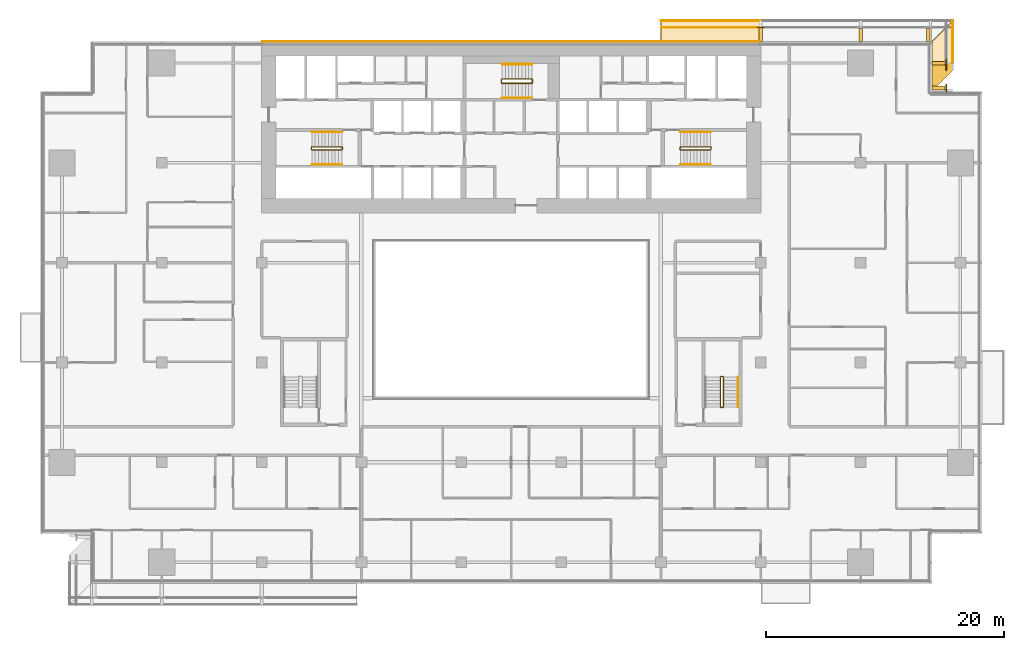
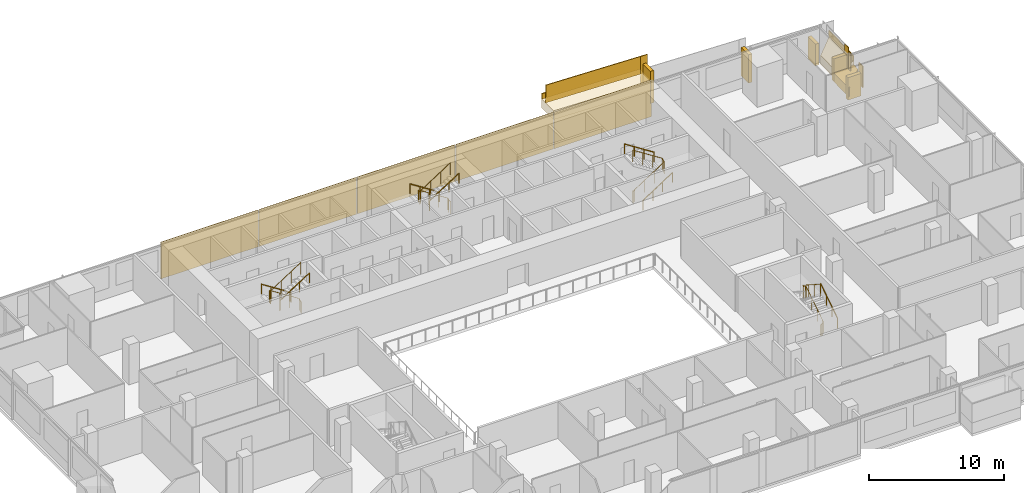
# One storey, part 26 of 29: 16 railings, 15 coverings.
"""IFC4 building model written with IfcOpenShell, lengths in metres."""

from ifc_helpers import new_model, si_unit, direction, frame, origin, origin_2d, place, context, subcontext, project, spatial, polyline, rectangle, circle, outline, extrude, material, layer, layer_set, type_object, element, save


model = new_model("IFC4")

# Units and contexts
model_context = context("Model", 3, precision=1e-05, world=origin(), true_north=direction((0.0, 1.0)))
body_context = subcontext(model_context, "Body", "Model", "MODEL_VIEW")
ifc_project = project(units=[si_unit("LENGTHUNIT", "METRE"), si_unit("AREAUNIT", "SQUARE_METRE"), si_unit("VOLUMEUNIT", "CUBIC_METRE"), si_unit("PLANEANGLEUNIT", "RADIAN"), si_unit("MASSUNIT", "GRAM", prefix="KILO")], contexts=[model_context])

# Site, building, storey
site_placement = place(None, origin())
site = spatial("IfcSite", under=ifc_project, at=site_placement, CompositionType="ELEMENT")
building_placement = place(site_placement, origin())
building = spatial("IfcBuilding", under=site, at=building_placement, Name="Saffron Gate Tower", CompositionType="ELEMENT")
storey_placement = place(building_placement, frame((0.0, 0.0, 58.800048828125)))
storey = spatial("IfcBuildingStorey", under=building, at=storey_placement, Name="L13", CompositionType="ELEMENT", Elevation=58.800048828125)

# Coverings
ifc_material_1 = material(Name="Ceramic-printed bronze insulated panel")
ifc_layer_1 = layer(ifc_material_1, 0.0400390625)
ifc_layer_set_1 = layer_set([ifc_layer_1], Name="CLD1 ceramic-printed cladding panel 40")
covering_type_1 = type_object("IfcCoveringType", Name="CLD1 ceramic-printed cladding panel 40", PredefinedType="CLADDING", material=ifc_layer_set_1)
covering_1_placement = place(storey_placement, origin())
element("IfcCovering", 1, at=covering_1_placement, inside=storey, type_object=covering_type_1, Name="CLADDING ceramic-printed panel", PredefinedType="CLADDING", context=body_context, shape_type="SweptSolid", body=[
    extrude(outline(polyline([(108.56494140625, 75.639892578125), (100.235107421875, 75.639892578125), (100.235107421875, 75.60009765625), (108.56494140625, 75.60009765625), (108.56494140625, 75.639892578125)])), origin(), (0.0, 0.0, 1.0), 3.320068359375),
])
covering_2_placement = place(storey_placement, origin())
element("IfcCovering", 2, at=covering_2_placement, inside=storey, type_object=covering_type_1, Name="CLADDING ceramic-printed panel", PredefinedType="CLADDING", context=body_context, shape_type="SweptSolid", body=[
    extrude(outline(polyline([(100.1650390625, 75.639892578125), (91.8349609375, 75.639892578125), (91.8349609375, 75.60009765625), (100.1650390625, 75.60009765625), (100.1650390625, 75.639892578125)])), origin(), (0.0, 0.0, 1.0), 3.320068359375),
])
covering_3_placement = place(storey_placement, origin())
element("IfcCovering", 3, at=covering_3_placement, inside=storey, type_object=covering_type_1, Name="CLADDING ceramic-printed panel", PredefinedType="CLADDING", context=body_context, shape_type="SweptSolid", body=[
    extrude(outline(polyline([(91.764892578125, 75.639892578125), (83.43505859375, 75.639892578125), (83.43505859375, 75.60009765625), (91.764892578125, 75.60009765625), (91.764892578125, 75.639892578125)])), origin(), (0.0, 0.0, 1.0), 3.320068359375),
])
covering_4_placement = place(storey_placement, origin())
element("IfcCovering", 4, at=covering_4_placement, inside=storey, type_object=covering_type_1, Name="CLADDING ceramic-printed panel", PredefinedType="CLADDING", context=body_context, shape_type="SweptSolid", body=[
    extrude(outline(polyline([(83.364990234375, 75.639892578125), (75.034912109375, 75.639892578125), (75.034912109375, 75.60009765625), (83.364990234375, 75.60009765625), (83.364990234375, 75.639892578125)])), origin(), (0.0, 0.0, 1.0), 3.320068359375),
])
covering_5_placement = place(storey_placement, origin())
element("IfcCovering", 5, at=covering_5_placement, inside=storey, type_object=covering_type_1, Name="CLADDING ceramic-printed panel", PredefinedType="CLADDING", context=body_context, shape_type="SweptSolid", body=[
    extrude(outline(polyline([(74.965087890625, 75.639892578125), (66.635009765625, 75.639892578125), (66.635009765625, 75.60009765625), (74.965087890625, 75.60009765625), (74.965087890625, 75.639892578125)])), origin(), (0.0, 0.0, 1.0), 3.320068359375),
])

# Railings
ifc_material_2 = material(Name="Stainless steel and laminated glass", Category="steel")
railing_type_1 = type_object("IfcRailingType", Name="CR1 Stair guard 1100", PredefinedType="GUARDRAIL", material=ifc_material_2)
railing_1_placement = place(storey_placement, frame((73.39990234375, 66.550048828125, 0.0)))
element("IfcRailing", 6, at=railing_1_placement, inside=storey, type_object=railing_type_1, Name="L13 ST-A stair guard 1", PredefinedType="GUARDRAIL", context=body_context, shape_type="SweptSolid", body=[
    extrude(circle(Radius=0.02392578125, at=origin_2d()), frame((0.0, 0.0, 1.076171875), z_axis=(0.0, 1.0, 0.0), x_axis=(-1.0, 0.0, 0.0)), (0.0, 0.0, 1.0), 0.14990234375),
    extrude(circle(Radius=0.02392578125, at=origin_2d()), frame((0.0, 0.14990234375, 1.076171875), z_axis=(-0.257669022063, 0.258932105505, 0.930892496375), x_axis=(-0.708833529934, -0.705375805398, 0.0)), (0.0, 0.0, 1.0), 0.193359375),
    extrude(circle(Radius=0.02392578125, at=origin_2d()), frame((-0.0498046875, 0.199951171875, 1.255859375), z_axis=(-0.841162588446, 0.0, 0.540782303519), x_axis=(0.0, -1.0, 0.0)), (0.0, 0.0, 1.0), 2.995849609375),
    extrude(circle(Radius=0.02392578125, at=origin_2d()), frame((-2.56982421875, 0.199951171875, 2.8759765625), z_axis=(-0.707106781187, -0.707106781187, 0.0), x_axis=(0.707106781187, -0.707106781187, 0.0)), (0.0, 0.0, 1.0), 0.07080078125),
    extrude(circle(Radius=0.02392578125, at=origin_2d()), frame((-2.619873046875, 0.14990234375, 2.8759765625), z_axis=(0.0, -1.0, 0.0), x_axis=(1.0, 0.0, 0.0)), (0.0, 0.0, 1.0), 0.14990234375),
    extrude(circle(Radius=0.02392578125, at=origin_2d()), frame((-2.619873046875, 0.0, 2.8759765625), z_axis=(0.258847668887, -0.258847668887, 0.930588936439), x_axis=(0.707106781187, 0.707106781187, 0.0)), (0.0, 0.0, 1.0), 0.193359375),
    extrude(circle(Radius=0.02392578125, at=origin_2d()), frame((-2.56982421875, -0.050048828125, 3.05615234375), z_axis=(0.841199657755, 0.0, 0.540724639528), x_axis=(0.0, 1.0, 0.0)), (0.0, 0.0, 1.0), 2.995849609375),
    extrude(circle(Radius=0.02099609375, at=origin_2d()), origin(), (0.0, 0.0, 1.0), 1.052001953125),
    extrude(circle(Radius=0.02099609375, at=origin_2d()), frame((0.0, 0.14990234375, 0.0)), (0.0, 0.0, 1.0), 1.052001953125),
    extrude(circle(Radius=0.02099609375, at=origin_2d()), frame((-0.0498046875, 0.199951171875, 0.179931640625)), (0.0, 0.0, 1.0), 1.052001953125),
    extrude(circle(Radius=0.02099609375, at=origin_2d()), frame((-0.889892578125, 0.199951171875, 0.719970703125)), (0.0, 0.0, 1.0), 1.052001953125),
    extrude(circle(Radius=0.02099609375, at=origin_2d()), frame((-1.729736328125, 0.199951171875, 1.260009765625)), (0.0, 0.0, 1.0), 1.052001953125),
    extrude(circle(Radius=0.02099609375, at=origin_2d()), frame((-2.56982421875, 0.199951171875, 1.800048828125)), (0.0, 0.0, 1.0), 1.052001953125),
    extrude(circle(Radius=0.02099609375, at=origin_2d()), frame((-2.619873046875, 0.14990234375, 1.800048828125)), (0.0, 0.0, 1.0), 1.052001953125),
    extrude(circle(Radius=0.02099609375, at=origin_2d()), frame((-2.619873046875, 0.0, 1.800048828125)), (0.0, 0.0, 1.0), 1.052001953125),
    extrude(circle(Radius=0.02099609375, at=origin_2d()), frame((-2.56982421875, -0.050048828125, 1.97998046875)), (0.0, 0.0, 1.0), 1.052001953125),
    extrude(circle(Radius=0.02099609375, at=origin_2d()), frame((-1.729736328125, -0.050048828125, 2.52001953125)), (0.0, 0.0, 1.0), 1.052001953125),
    extrude(circle(Radius=0.02099609375, at=origin_2d()), frame((-0.889892578125, -0.050048828125, 3.059814453125)), (0.0, 0.0, 1.0), 1.052001953125),
    extrude(circle(Radius=0.02099609375, at=origin_2d()), frame((-0.0498046875, -0.050048828125, 3.599853515625)), (0.0, 0.0, 1.0), 1.052001953125),
])
railing_2_placement = place(storey_placement, frame((101.800048828125, 66.699951171875, 0.0)))
element("IfcRailing", 7, at=railing_2_placement, inside=storey, type_object=railing_type_1, Name="L13 ST-B stair guard 1", PredefinedType="GUARDRAIL", context=body_context, shape_type="SweptSolid", body=[
    extrude(circle(Radius=0.02392578125, at=origin_2d()), frame((0.0, 0.0, 1.076171875), z_axis=(0.0, -1.0, 0.0), x_axis=(1.0, 0.0, 0.0)), (0.0, 0.0, 1.0), 0.14990234375),
    extrude(circle(Radius=0.02392578125, at=origin_2d()), frame((0.0, -0.14990234375, 1.076171875), z_axis=(0.258847668887, -0.258847668887, 0.930588936439), x_axis=(0.707106781187, 0.707106781187, 0.0)), (0.0, 0.0, 1.0), 0.193359375),
    extrude(circle(Radius=0.02392578125, at=origin_2d()), frame((0.050048828125, -0.199951171875, 1.255859375), z_axis=(0.841162588446, 0.0, 0.540782303519), x_axis=(0.0, 1.0, 0.0)), (0.0, 0.0, 1.0), 2.995849609375),
    extrude(circle(Radius=0.02392578125, at=origin_2d()), frame((2.570068359375, -0.199951171875, 2.8759765625), z_axis=(0.705375805398, 0.708833529934, 0.0), x_axis=(-0.708833529934, 0.705375805398, 0.0)), (0.0, 0.0, 1.0), 0.070556640625),
    extrude(circle(Radius=0.02392578125, at=origin_2d()), frame((2.619873046875, -0.14990234375, 2.8759765625), z_axis=(0.0, 1.0, 0.0), x_axis=(-1.0, 0.0, 0.0)), (0.0, 0.0, 1.0), 0.14990234375),
    extrude(circle(Radius=0.02392578125, at=origin_2d()), frame((2.619873046875, 0.0, 2.8759765625), z_axis=(-0.257669022063, 0.258932105505, 0.930892496375), x_axis=(-0.708833529934, -0.705375805398, 0.0)), (0.0, 0.0, 1.0), 0.193359375),
    extrude(circle(Radius=0.02392578125, at=origin_2d()), frame((2.570068359375, 0.050048828125, 3.05615234375), z_axis=(-0.841199657755, 0.0, 0.540724639528), x_axis=(0.0, -1.0, 0.0)), (0.0, 0.0, 1.0), 2.995849609375),
    extrude(circle(Radius=0.02099609375, at=origin_2d()), origin(), (0.0, 0.0, 1.0), 1.052001953125),
    extrude(circle(Radius=0.02099609375, at=origin_2d()), frame((0.0, -0.14990234375, 0.0)), (0.0, 0.0, 1.0), 1.052001953125),
    extrude(circle(Radius=0.02099609375, at=origin_2d()), frame((0.050048828125, -0.199951171875, 0.179931640625)), (0.0, 0.0, 1.0), 1.052001953125),
    extrude(circle(Radius=0.02099609375, at=origin_2d()), frame((0.89013671875, -0.199951171875, 0.719970703125)), (0.0, 0.0, 1.0), 1.052001953125),
    extrude(circle(Radius=0.02099609375, at=origin_2d()), frame((1.72998046875, -0.199951171875, 1.260009765625)), (0.0, 0.0, 1.0), 1.052001953125),
    extrude(circle(Radius=0.02099609375, at=origin_2d()), frame((2.570068359375, -0.199951171875, 1.800048828125)), (0.0, 0.0, 1.0), 1.052001953125),
    extrude(circle(Radius=0.02099609375, at=origin_2d()), frame((2.619873046875, -0.14990234375, 1.800048828125)), (0.0, 0.0, 1.0), 1.052001953125),
    extrude(circle(Radius=0.02099609375, at=origin_2d()), frame((2.619873046875, 0.0, 1.800048828125)), (0.0, 0.0, 1.0), 1.052001953125),
    extrude(circle(Radius=0.02099609375, at=origin_2d()), frame((2.570068359375, 0.050048828125, 1.97998046875)), (0.0, 0.0, 1.0), 1.052001953125),
    extrude(circle(Radius=0.02099609375, at=origin_2d()), frame((1.72998046875, 0.050048828125, 2.52001953125)), (0.0, 0.0, 1.0), 1.052001953125),
    extrude(circle(Radius=0.02099609375, at=origin_2d()), frame((0.89013671875, 0.050048828125, 3.059814453125)), (0.0, 0.0, 1.0), 1.052001953125),
    extrude(circle(Radius=0.02099609375, at=origin_2d()), frame((0.050048828125, 0.050048828125, 3.599853515625)), (0.0, 0.0, 1.0), 1.052001953125),
])
railing_3_placement = place(storey_placement, frame((89.39990234375, 72.14990234375, 0.0)))
element("IfcRailing", 8, at=railing_3_placement, inside=storey, type_object=railing_type_1, Name="L13 ST-C stair guard 1", PredefinedType="GUARDRAIL", context=body_context, shape_type="SweptSolid", body=[
    extrude(circle(Radius=0.02392578125, at=origin_2d()), frame((0.0, 0.0, 1.076171875), z_axis=(0.0, 1.0, 0.0), x_axis=(-1.0, 0.0, 0.0)), (0.0, 0.0, 1.0), 0.25),
    extrude(circle(Radius=0.02392578125, at=origin_2d()), frame((0.0, 0.25, 1.076171875), z_axis=(-0.257669022063, 0.258932105505, 0.930892496375), x_axis=(-0.708833529934, -0.705375805398, 0.0)), (0.0, 0.0, 1.0), 0.193359375),
    extrude(circle(Radius=0.02392578125, at=origin_2d()), frame((-0.0498046875, 0.300048828125, 1.255859375), z_axis=(-0.841162588446, 0.0, 0.540782303519), x_axis=(0.0, -1.0, 0.0)), (0.0, 0.0, 1.0), 2.995849609375),
    extrude(circle(Radius=0.02392578125, at=origin_2d()), frame((-2.56982421875, 0.300048828125, 2.8759765625), z_axis=(-0.707106781187, -0.707106781187, 0.0), x_axis=(0.707106781187, -0.707106781187, 0.0)), (0.0, 0.0, 1.0), 0.07080078125),
    extrude(circle(Radius=0.02392578125, at=origin_2d()), frame((-2.619873046875, 0.25, 2.8759765625), z_axis=(0.0, -1.0, 0.0), x_axis=(1.0, 0.0, 0.0)), (0.0, 0.0, 1.0), 0.25),
    extrude(circle(Radius=0.02392578125, at=origin_2d()), frame((-2.619873046875, 0.0, 2.8759765625), z_axis=(0.258932105505, -0.257669022063, 0.930892496375), x_axis=(0.705375805398, 0.708833529934, 0.0)), (0.0, 0.0, 1.0), 0.193359375),
    extrude(circle(Radius=0.02392578125, at=origin_2d()), frame((-2.56982421875, -0.0498046875, 3.05615234375), z_axis=(0.841199657755, 0.0, 0.540724639528), x_axis=(0.0, 1.0, 0.0)), (0.0, 0.0, 1.0), 2.995849609375),
    extrude(circle(Radius=0.02099609375, at=origin_2d()), origin(), (0.0, 0.0, 1.0), 1.052001953125),
    extrude(circle(Radius=0.02099609375, at=origin_2d()), frame((0.0, 0.25, 0.0)), (0.0, 0.0, 1.0), 1.052001953125),
    extrude(circle(Radius=0.02099609375, at=origin_2d()), frame((-0.0498046875, 0.300048828125, 0.179931640625)), (0.0, 0.0, 1.0), 1.052001953125),
    extrude(circle(Radius=0.02099609375, at=origin_2d()), frame((-0.889892578125, 0.300048828125, 0.719970703125)), (0.0, 0.0, 1.0), 1.052001953125),
    extrude(circle(Radius=0.02099609375, at=origin_2d()), frame((-1.729736328125, 0.300048828125, 1.260009765625)), (0.0, 0.0, 1.0), 1.052001953125),
    extrude(circle(Radius=0.02099609375, at=origin_2d()), frame((-2.56982421875, 0.300048828125, 1.800048828125)), (0.0, 0.0, 1.0), 1.052001953125),
    extrude(circle(Radius=0.02099609375, at=origin_2d()), frame((-2.619873046875, 0.25, 1.800048828125)), (0.0, 0.0, 1.0), 1.052001953125),
    extrude(circle(Radius=0.02099609375, at=origin_2d()), frame((-2.619873046875, 0.0, 1.800048828125)), (0.0, 0.0, 1.0), 1.052001953125),
    extrude(circle(Radius=0.02099609375, at=origin_2d()), frame((-2.56982421875, -0.0498046875, 1.97998046875)), (0.0, 0.0, 1.0), 1.052001953125),
    extrude(circle(Radius=0.02099609375, at=origin_2d()), frame((-1.729736328125, -0.0498046875, 2.52001953125)), (0.0, 0.0, 1.0), 1.052001953125),
    extrude(circle(Radius=0.02099609375, at=origin_2d()), frame((-0.889892578125, -0.0498046875, 3.059814453125)), (0.0, 0.0, 1.0), 1.052001953125),
    extrude(circle(Radius=0.02099609375, at=origin_2d()), frame((-0.0498046875, -0.0498046875, 3.599853515625)), (0.0, 0.0, 1.0), 1.052001953125),
])
railing_4_placement = place(storey_placement, frame((105.25, 44.800048828125, 0.0)))
element("IfcRailing", 9, at=railing_4_placement, inside=storey, type_object=railing_type_1, Name="L13 ST-E stair guard 1", PredefinedType="GUARDRAIL", context=body_context, shape_type="SweptSolid", body=[
    extrude(circle(Radius=0.02392578125, at=origin_2d()), frame((0.0, 0.0, 1.076171875), z_axis=(1.0, 0.0, 0.0), x_axis=(0.0, 1.0, 0.0)), (0.0, 0.0, 1.0), 0.14990234375),
    extrude(circle(Radius=0.02392578125, at=origin_2d()), frame((0.14990234375, 0.0, 1.076171875), z_axis=(0.258847668887, 0.258847668887, 0.930588936439), x_axis=(-0.707106781187, 0.707106781187, 0.0)), (0.0, 0.0, 1.0), 0.193359375),
    extrude(circle(Radius=0.02392578125, at=origin_2d()), frame((0.199951171875, 0.050048828125, 1.255859375), z_axis=(0.0, 0.841162588446, 0.540782303519), x_axis=(-1.0, 0.0, 0.0)), (0.0, 0.0, 1.0), 2.995849609375),
    extrude(circle(Radius=0.02392578125, at=origin_2d()), frame((0.199951171875, 2.570068359375, 2.8759765625), z_axis=(-0.708833529934, 0.705375805398, 0.0), x_axis=(-0.705375805398, -0.708833529934, 0.0)), (0.0, 0.0, 1.0), 0.070556640625),
    extrude(circle(Radius=0.02392578125, at=origin_2d()), frame((0.14990234375, 2.619873046875, 2.8759765625), z_axis=(-1.0, 0.0, 0.0), x_axis=(0.0, -1.0, 0.0)), (0.0, 0.0, 1.0), 0.14990234375),
    extrude(circle(Radius=0.02392578125, at=origin_2d()), frame((0.0, 2.619873046875, 2.8759765625), z_axis=(-0.258932105505, -0.257669022063, 0.930892496375), x_axis=(0.705375805398, -0.708833529934, 0.0)), (0.0, 0.0, 1.0), 0.193359375),
    extrude(circle(Radius=0.02392578125, at=origin_2d()), frame((-0.050048828125, 2.570068359375, 3.05615234375), z_axis=(0.0, -0.841199657755, 0.540724639528), x_axis=(1.0, 0.0, 0.0)), (0.0, 0.0, 1.0), 2.995849609375),
    extrude(circle(Radius=0.02099609375, at=origin_2d()), origin(), (0.0, 0.0, 1.0), 1.052001953125),
    extrude(circle(Radius=0.02099609375, at=origin_2d()), frame((0.14990234375, 0.0, 0.0)), (0.0, 0.0, 1.0), 1.052001953125),
    extrude(circle(Radius=0.02099609375, at=origin_2d()), frame((0.199951171875, 0.050048828125, 0.179931640625)), (0.0, 0.0, 1.0), 1.052001953125),
    extrude(circle(Radius=0.02099609375, at=origin_2d()), frame((0.199951171875, 0.89013671875, 0.719970703125)), (0.0, 0.0, 1.0), 1.052001953125),
    extrude(circle(Radius=0.02099609375, at=origin_2d()), frame((0.199951171875, 1.72998046875, 1.260009765625)), (0.0, 0.0, 1.0), 1.052001953125),
    extrude(circle(Radius=0.02099609375, at=origin_2d()), frame((0.199951171875, 2.570068359375, 1.800048828125)), (0.0, 0.0, 1.0), 1.052001953125),
    extrude(circle(Radius=0.02099609375, at=origin_2d()), frame((0.14990234375, 2.619873046875, 1.800048828125)), (0.0, 0.0, 1.0), 1.052001953125),
    extrude(circle(Radius=0.02099609375, at=origin_2d()), frame((0.0, 2.619873046875, 1.800048828125)), (0.0, 0.0, 1.0), 1.052001953125),
    extrude(circle(Radius=0.02099609375, at=origin_2d()), frame((-0.050048828125, 2.570068359375, 1.97998046875)), (0.0, 0.0, 1.0), 1.052001953125),
    extrude(circle(Radius=0.02099609375, at=origin_2d()), frame((-0.050048828125, 1.72998046875, 2.52001953125)), (0.0, 0.0, 1.0), 1.052001953125),
    extrude(circle(Radius=0.02099609375, at=origin_2d()), frame((-0.050048828125, 0.89013671875, 3.059814453125)), (0.0, 0.0, 1.0), 1.052001953125),
    extrude(circle(Radius=0.02099609375, at=origin_2d()), frame((-0.050048828125, 0.050048828125, 3.599853515625)), (0.0, 0.0, 1.0), 1.052001953125),
])
ifc_material_3 = material(Name="Stainless steel", Category="steel")
railing_type_2 = type_object("IfcRailingType", Name="CR2 Stair handrail 900", PredefinedType="HANDRAIL", material=ifc_material_3)
railing_5_placement = place(storey_placement, frame((73.35009765625, 68.0, 0.179931640625)))
element("IfcRailing", 10, at=railing_5_placement, inside=storey, type_object=railing_type_2, Name="L13 ST-A stair handrail 1", PredefinedType="HANDRAIL", context=body_context, shape_type="SweptSolid", body=[
    extrude(circle(Radius=0.02392578125, at=origin_2d()), frame((0.0, 0.0, 0.8759765625), z_axis=(-0.841162588446, 0.0, 0.540782303519), x_axis=(0.0, -1.0, 0.0)), (0.0, 0.0, 1.0), 2.995849609375),
    extrude(circle(Radius=0.02099609375, at=origin_2d()), origin(), (0.0, 0.0, 1.0), 0.851806640625),
    extrude(circle(Radius=0.02099609375, at=origin_2d()), frame((-0.840087890625, 0.0, 0.5400390625)), (0.0, 0.0, 1.0), 0.851806640625),
    extrude(circle(Radius=0.02099609375, at=origin_2d()), frame((-1.679931640625, 0.0, 1.080078125)), (0.0, 0.0, 1.0), 0.851806640625),
    extrude(circle(Radius=0.02099609375, at=origin_2d()), frame((-2.52001953125, 0.0, 1.6201171875)), (0.0, 0.0, 1.0), 0.851806640625),
])
railing_6_placement = place(storey_placement, frame((70.830078125, 65.25, 1.97998046875)))
element("IfcRailing", 11, at=railing_6_placement, inside=storey, type_object=railing_type_2, Name="L13 ST-A stair handrail 2", PredefinedType="HANDRAIL", context=body_context, shape_type="SweptSolid", body=[
    extrude(circle(Radius=0.02392578125, at=origin_2d()), frame((0.0, 0.0, 0.8759765625), z_axis=(0.841199657755, 0.0, 0.540724639528), x_axis=(0.0, 1.0, 0.0)), (0.0, 0.0, 1.0), 2.995849609375),
    extrude(circle(Radius=0.02099609375, at=origin_2d()), origin(), (0.0, 0.0, 1.0), 0.851806640625),
    extrude(circle(Radius=0.02099609375, at=origin_2d()), frame((0.840087890625, 0.0, 0.5400390625)), (0.0, 0.0, 1.0), 0.851806640625),
    extrude(circle(Radius=0.02099609375, at=origin_2d()), frame((1.679931640625, 0.0, 1.079833984375)), (0.0, 0.0, 1.0), 0.851806640625),
    extrude(circle(Radius=0.02099609375, at=origin_2d()), frame((2.52001953125, 0.0, 1.619873046875)), (0.0, 0.0, 1.0), 0.851806640625),
])
railing_7_placement = place(storey_placement, frame((101.85009765625, 65.25, 0.179931640625)))
element("IfcRailing", 12, at=railing_7_placement, inside=storey, type_object=railing_type_2, Name="L13 ST-B stair handrail 1", PredefinedType="HANDRAIL", context=body_context, shape_type="SweptSolid", body=[
    extrude(circle(Radius=0.02392578125, at=origin_2d()), frame((0.0, 0.0, 0.8759765625), z_axis=(0.841162588446, 0.0, 0.540782303519), x_axis=(0.0, 1.0, 0.0)), (0.0, 0.0, 1.0), 2.995849609375),
    extrude(circle(Radius=0.02099609375, at=origin_2d()), origin(), (0.0, 0.0, 1.0), 0.851806640625),
    extrude(circle(Radius=0.02099609375, at=origin_2d()), frame((0.840087890625, 0.0, 0.5400390625)), (0.0, 0.0, 1.0), 0.851806640625),
    extrude(circle(Radius=0.02099609375, at=origin_2d()), frame((1.679931640625, 0.0, 1.080078125)), (0.0, 0.0, 1.0), 0.851806640625),
    extrude(circle(Radius=0.02099609375, at=origin_2d()), frame((2.52001953125, 0.0, 1.6201171875)), (0.0, 0.0, 1.0), 0.851806640625),
])
railing_8_placement = place(storey_placement, frame((104.3701171875, 68.0, 1.97998046875)))
element("IfcRailing", 13, at=railing_8_placement, inside=storey, type_object=railing_type_2, Name="L13 ST-B stair handrail 2", PredefinedType="HANDRAIL", context=body_context, shape_type="SweptSolid", body=[
    extrude(circle(Radius=0.02392578125, at=origin_2d()), frame((0.0, 0.0, 0.8759765625), z_axis=(-0.841199657755, 0.0, 0.540724639528), x_axis=(0.0, -1.0, 0.0)), (0.0, 0.0, 1.0), 2.995849609375),
    extrude(circle(Radius=0.02099609375, at=origin_2d()), origin(), (0.0, 0.0, 1.0), 0.851806640625),
    extrude(circle(Radius=0.02099609375, at=origin_2d()), frame((-0.840087890625, 0.0, 0.5400390625)), (0.0, 0.0, 1.0), 0.851806640625),
    extrude(circle(Radius=0.02099609375, at=origin_2d()), frame((-1.679931640625, 0.0, 1.079833984375)), (0.0, 0.0, 1.0), 0.851806640625),
    extrude(circle(Radius=0.02099609375, at=origin_2d()), frame((-2.52001953125, 0.0, 1.619873046875)), (0.0, 0.0, 1.0), 0.851806640625),
])
railing_9_placement = place(storey_placement, frame((89.35009765625, 73.699951171875, 0.179931640625)))
element("IfcRailing", 14, at=railing_9_placement, inside=storey, type_object=railing_type_2, Name="L13 ST-C stair handrail 1", PredefinedType="HANDRAIL", context=body_context, shape_type="SweptSolid", body=[
    extrude(circle(Radius=0.02392578125, at=origin_2d()), frame((0.0, 0.0, 0.8759765625), z_axis=(-0.841162588446, 0.0, 0.540782303519), x_axis=(0.0, -1.0, 0.0)), (0.0, 0.0, 1.0), 2.995849609375),
    extrude(circle(Radius=0.02099609375, at=origin_2d()), origin(), (0.0, 0.0, 1.0), 0.851806640625),
    extrude(circle(Radius=0.02099609375, at=origin_2d()), frame((-0.840087890625, 0.0, 0.5400390625)), (0.0, 0.0, 1.0), 0.851806640625),
    extrude(circle(Radius=0.02099609375, at=origin_2d()), frame((-1.679931640625, 0.0, 1.080078125)), (0.0, 0.0, 1.0), 0.851806640625),
    extrude(circle(Radius=0.02099609375, at=origin_2d()), frame((-2.52001953125, 0.0, 1.6201171875)), (0.0, 0.0, 1.0), 0.851806640625),
])
railing_10_placement = place(storey_placement, frame((86.830078125, 70.85009765625, 1.97998046875)))
element("IfcRailing", 15, at=railing_10_placement, inside=storey, type_object=railing_type_2, Name="L13 ST-C stair handrail 2", PredefinedType="HANDRAIL", context=body_context, shape_type="SweptSolid", body=[
    extrude(circle(Radius=0.02392578125, at=origin_2d()), frame((0.0, 0.0, 0.8759765625), z_axis=(0.841199657755, 0.0, 0.540724639528), x_axis=(0.0, 1.0, 0.0)), (0.0, 0.0, 1.0), 2.995849609375),
    extrude(circle(Radius=0.02099609375, at=origin_2d()), origin(), (0.0, 0.0, 1.0), 0.851806640625),
    extrude(circle(Radius=0.02099609375, at=origin_2d()), frame((0.840087890625, 0.0, 0.5400390625)), (0.0, 0.0, 1.0), 0.851806640625),
    extrude(circle(Radius=0.02099609375, at=origin_2d()), frame((1.679931640625, 0.0, 1.079833984375)), (0.0, 0.0, 1.0), 0.851806640625),
    extrude(circle(Radius=0.02099609375, at=origin_2d()), frame((2.52001953125, 0.0, 1.619873046875)), (0.0, 0.0, 1.0), 0.851806640625),
])
railing_11_placement = place(storey_placement, frame((106.699951171875, 44.85009765625, 0.179931640625)))
element("IfcRailing", 16, at=railing_11_placement, inside=storey, type_object=railing_type_2, Name="L13 ST-E stair handrail 1", PredefinedType="HANDRAIL", context=body_context, shape_type="SweptSolid", body=[
    extrude(circle(Radius=0.02392578125, at=origin_2d()), frame((0.0, 0.0, 0.8759765625), z_axis=(0.0, 0.841162588446, 0.540782303519), x_axis=(-1.0, 0.0, 0.0)), (0.0, 0.0, 1.0), 2.995849609375),
    extrude(circle(Radius=0.02099609375, at=origin_2d()), origin(), (0.0, 0.0, 1.0), 0.851806640625),
    extrude(circle(Radius=0.02099609375, at=origin_2d()), frame((0.0, 0.840087890625, 0.5400390625)), (0.0, 0.0, 1.0), 0.851806640625),
    extrude(circle(Radius=0.02099609375, at=origin_2d()), frame((0.0, 1.679931640625, 1.080078125)), (0.0, 0.0, 1.0), 0.851806640625),
    extrude(circle(Radius=0.02099609375, at=origin_2d()), frame((0.0, 2.52001953125, 1.6201171875)), (0.0, 0.0, 1.0), 0.851806640625),
])

# Coverings
ifc_material_4 = material(Name="Timber, thermally modified ash", Category="wood")
ifc_layer_2 = layer(ifc_material_4, 0.800048828125)
ifc_layer_set_2 = layer_set([ifc_layer_2], Name="LD1 ledge timber")
covering_type_2 = type_object("IfcCoveringType", Name="LD1 ledge timber", PredefinedType="CLADDING", material=ifc_layer_set_2)
covering_6_placement = place(storey_placement, frame((123.0, 71.39990234375, 0.0078125), z_axis=(2.6333678e-05, -0.028794305201, 0.999585357683), x_axis=(5.2e-10, 0.99958535803, 0.028794305211)))
element("IfcCovering", 17, at=covering_6_placement, inside=storey, type_object=covering_type_2, Name="LEDGE", PredefinedType="CLADDING", context=body_context, shape_type="SweptSolid", body=[
    extrude(outline(polyline([(0.0, 0.0), (2.401140733194568, 0.0), (2.4011407341303483, -1.8000488275008664), (1.8007927835182762, -1.8000488290612322), (0.0, 0.0)])), origin(), (0.0, 0.0, -1.0), 0.800048828125),
])
covering_7_placement = place(storey_placement, frame((123.0, 73.800048828125, 0.419921875), z_axis=(-4.6492774e-05, -0.028788135707, 0.99958553465), x_axis=(-2.161e-09, 0.99958553573, 0.028788135738)))
element("IfcCovering", 18, at=covering_7_placement, inside=storey, type_object=covering_type_2, Name="LEDGE", PredefinedType="CLADDING", context=body_context, shape_type="SweptSolid", body=[
    extrude(outline(polyline([(0.0, 0.0), (1.8007927831333284, -4.235164736271502e-22), (3.6013485512933356, -1.8000488378518529), (-3.889338571966608e-09, -1.8000488261795269), (0.0, 0.0)])), origin(), (0.0, 0.0, -1.0), 0.800048828125),
])
covering_8_placement = place(storey_placement, frame((108.60009765625, 75.60009765625, 3.20166015625), z_axis=(0.028790339263, 0.0, 0.999585472266), x_axis=(-0.999585472266, 0.0, 0.028790339263)))
element("IfcCovering", 19, at=covering_8_placement, inside=storey, type_object=covering_type_2, Name="LEDGE", PredefinedType="CLADDING", context=body_context, shape_type="SweptSolid", body=[
    extrude(outline(polyline([(0.0, 0.0), (8.403630022085892, 0.0), (8.403630022085892, -1.7998046875), (0.0, -1.7998046875), (0.0, 0.0)])), origin(), (0.0, 0.0, -1.0), 0.800048828125),
])
ifc_layer_3 = layer(ifc_material_4, 0.080078125)
ifc_layer_set_3 = layer_set([ifc_layer_3], Name="LD2 ledge planter trough")
covering_type_3 = type_object("IfcCoveringType", Name="LD2 ledge planter trough", PredefinedType="CLADDING", material=ifc_layer_set_3)
covering_9_placement = place(storey_placement, frame((124.800048828125, 73.800048828125, 0.419921875), z_axis=(1.0, 0.0, 0.0), x_axis=(0.0, 0.999584866472, 0.028811364412)))
element("IfcCovering", 20, at=covering_9_placement, inside=storey, type_object=covering_type_3, Name="LEDGE planter trough", PredefinedType="CLADDING", context=body_context, shape_type="SweptSolid", body=[
    extrude(outline(polyline([(0.0, 0.0), (3.601348556155073, 0.0), (3.6157542383609322, 0.49979243323622236), (0.01440568220585924, 0.49979243323622236), (0.0, 0.0)])), origin(), (0.0, 0.0, -1.0), 0.080078125),
])
covering_10_placement = place(storey_placement, frame((108.60009765625, 77.39990234375, 3.20166015625), z_axis=(0.0, 1.0, 0.0), x_axis=(-0.999585472266, 0.0, 0.028790339263)))
element("IfcCovering", 21, at=covering_10_placement, inside=storey, type_object=covering_type_3, Name="LEDGE planter trough", PredefinedType="CLADDING", context=body_context, shape_type="SweptSolid", body=[
    extrude(outline(polyline([(0.0, 0.0), (8.403630022085892, 0.0), (8.418025191717298, 0.4997927361329725), (0.014395169631405694, 0.4997927361329725), (0.0, 0.0)])), origin(), (0.0, 0.0, -1.0), 0.080078125),
])
ifc_layer_4 = layer(ifc_material_4, 0.300048828125)
ifc_layer_set_4 = layer_set([ifc_layer_4], Name="LD3 ledge riser fin")
covering_type_4 = type_object("IfcCoveringType", Name="LD3 ledge riser fin", PredefinedType="CLADDING", material=ifc_layer_set_4)
for number, where, z_axis, x_axis, name in (
    (22, (123.56005859375, 71.699951171875, -1.13525390625), (0.0, 0.0, 1.0), (0.0, 1.0, 0.0), "LEDGE riser fin"),
    (23, (123.56005859375, 73.800048828125, -0.72314453125), (0.0, 0.0, 1.0), (0.0, 1.0, 0.0), "LEDGE riser fin"),
):
    element("IfcCovering", number, at=place(storey_placement, frame(where, z_axis=z_axis, x_axis=x_axis)), inside=storey, type_object=covering_type_4, Name=name, PredefinedType="CLADDING", context=body_context, shape_type="SweptSolid", body=[
        extrude(rectangle(XDim=0.300048828125, YDim=1.1201171875, at=origin_2d()), origin(), (0.0, 0.0, 1.0), 2.04296875),
    ])
covering_11_placement = place(storey_placement, frame((122.699951171875, 76.159912109375, -0.328125), z_axis=(0.0, 0.0, 1.0), x_axis=(-1.0, 0.0, 0.0)))
element("IfcCovering", 24, at=covering_11_placement, inside=storey, type_object=covering_type_4, Name="LEDGE riser fin", PredefinedType="CLADDING", context=body_context, shape_type="SweptSolid", body=[
    extrude(rectangle(XDim=0.300048828125, YDim=1.1201171875, at=origin_2d()), origin(), (0.0, 0.0, 1.0), 1.957275390625),
])
covering_12_placement = place(storey_placement, frame((117.0, 76.159912109375, 0.10205078125), z_axis=(0.0, 0.0, 1.0), x_axis=(-1.0, 0.0, 0.0)))
element("IfcCovering", 25, at=covering_12_placement, inside=storey, type_object=covering_type_4, Name="LEDGE riser fin", PredefinedType="CLADDING", context=body_context, shape_type="SweptSolid", body=[
    extrude(rectangle(XDim=0.300048828125, YDim=1.1201171875, at=origin_2d()), origin(), (0.0, 0.0, 1.0), 2.557373046875),
])
covering_13_placement = place(storey_placement, frame((108.60009765625, 76.159912109375, 1.201171875), z_axis=(0.0, 0.0, 1.0), x_axis=(-1.0, 0.0, 0.0)))
element("IfcCovering", 26, at=covering_13_placement, inside=storey, type_object=covering_type_4, Name="LEDGE riser fin", PredefinedType="CLADDING", context=body_context, shape_type="SweptSolid", body=[
    extrude(rectangle(XDim=0.300048828125, YDim=1.1201171875, at=origin_2d()), origin(), (0.0, 0.0, 1.0), 2.900390625),
])

# Railings
railing_type_3 = type_object("IfcRailingType", Name="LG1 ledge balustrade", PredefinedType="BALUSTRADE", material=ifc_material_4)
railing_12_placement = place(storey_placement, frame((124.199951171875, 73.199951171875, 0.0595703125)))
element("IfcRailing", 27, at=railing_12_placement, inside=storey, type_object=railing_type_3, Name="LEDGE BALUSTRADE", PredefinedType="BALUSTRADE", context=body_context, shape_type="SweptSolid", body=[
    extrude(rectangle(XDim=0.06005859375, YDim=1.60009765625, at=origin_2d()), frame((0.0, 0.0, 0.800048828125), z_axis=(0.0, 0.999583081391, 0.028873229772), x_axis=(-1.0, 0.0, 0.0)), (0.0, 0.0, 1.0), 0.600341796875),
])
for number, where, name in (
    (28, (124.199951171875, 71.39990234375, -0.335205078125), "LEDGE BALUSTRADE"),
    (29, (124.199951171875, 73.5, 0.076904296875), "LEDGE BALUSTRADE"),
):
    element("IfcRailing", number, at=place(storey_placement, frame(where)), inside=storey, type_object=railing_type_3, Name=name, PredefinedType="BALUSTRADE", context=body_context, shape_type="SweptSolid", body=[
        extrude(rectangle(XDim=0.06005859375, YDim=1.943115234375, at=origin_2d()), frame((0.0, 0.0, 0.9716796875), z_axis=(0.0, 1.0, 0.0), x_axis=(-1.0, 0.0, 0.0)), (0.0, 0.0, 1.0), 0.60009765625),
    ])
railing_13_placement = place(storey_placement, frame((108.60009765625, 76.800048828125, 3.20166015625)))
element("IfcRailing", 30, at=railing_13_placement, inside=storey, type_object=railing_type_3, Name="LEDGE BALUSTRADE", PredefinedType="BALUSTRADE", context=body_context, shape_type="SweptSolid", body=[
    extrude(rectangle(XDim=0.06005859375, YDim=1.60009765625, at=origin_2d()), frame((0.0, 0.0, 0.800048828125), z_axis=(-0.999585472266, 0.0, 0.028790339263), x_axis=(0.0, -1.0, 0.0)), (0.0, 0.0, 1.0), 8.403564453125),
])
railing_14_placement = place(storey_placement, frame((108.89990234375, 76.800048828125, 2.001220703125)))
element("IfcRailing", 31, at=railing_14_placement, inside=storey, type_object=railing_type_3, Name="LEDGE BALUSTRADE", PredefinedType="BALUSTRADE", context=body_context, shape_type="SweptSolid", body=[
    extrude(rectangle(XDim=0.06005859375, YDim=2.80029296875, at=origin_2d()), frame((0.0, 0.0, 1.400146484375), z_axis=(-1.0, 0.0, 0.0), x_axis=(0.0, -1.0, 0.0)), (0.0, 0.0, 1.0), 0.599853515625),
])

save(model, "model.ifc")
